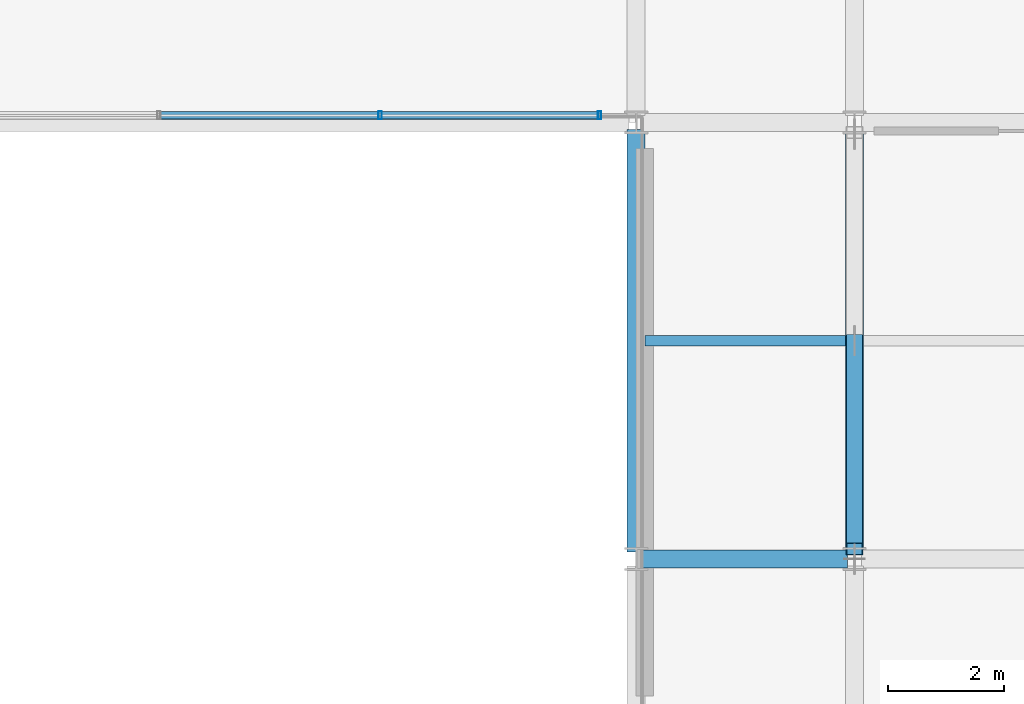
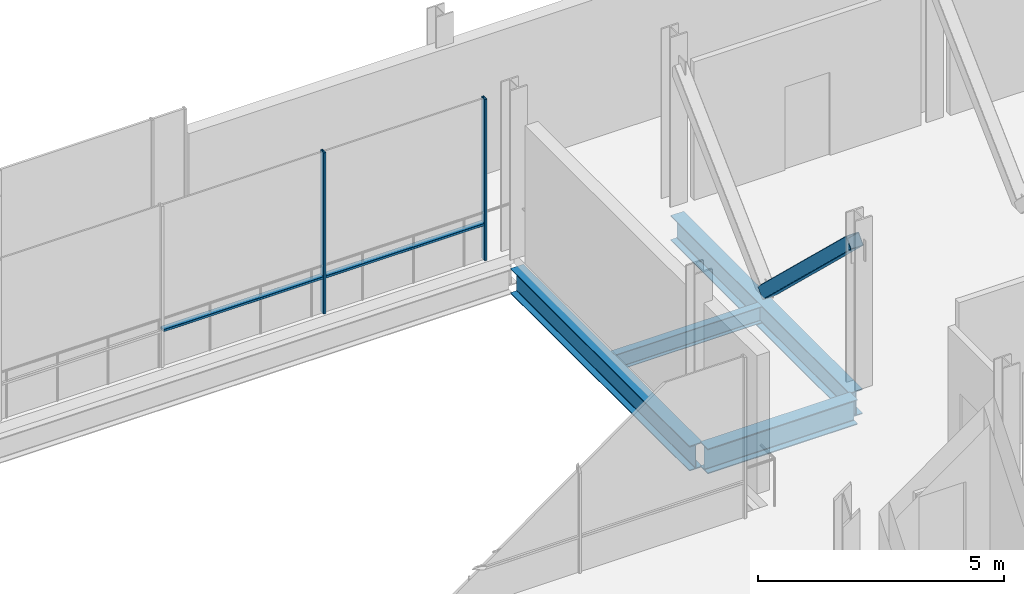
# One storey, part 18 of 33: 5 members, 4 beams, 1 element without a shape of its own.
"""IFC4 building model written with IfcOpenShell, lengths in metres."""

from ifc_helpers import new_model, si_unit, direction, frame, origin, origin_2d, place, context, subcontext, project, spatial, hollow_rectangle, i_section, extrude, material, layer, layer_set, material_profile, profile_set, type_object, element, aggregate, save


model = new_model("IFC4")

# Units and contexts
model_context = context("Model", 3, precision=1e-05, world=origin(), true_north=direction((0.0, 1.0)))
body_context = subcontext(model_context, "Body", "Model", "MODEL_VIEW")
ifc_project = project(units=[si_unit("LENGTHUNIT", "METRE"), si_unit("AREAUNIT", "SQUARE_METRE"), si_unit("VOLUMEUNIT", "CUBIC_METRE"), si_unit("PLANEANGLEUNIT", "RADIAN"), si_unit("MASSUNIT", "GRAM", prefix="KILO")], contexts=[model_context])

# Site, building, storey
site_placement = place(None, origin())
site = spatial("IfcSite", under=ifc_project, at=site_placement, CompositionType="ELEMENT")
building_placement = place(site_placement, origin())
building = spatial("IfcBuilding", under=site, at=building_placement, Name="Brevholm Reach", CompositionType="ELEMENT")
storey_placement = place(building_placement, frame((0.0, 0.0, 179.0)))
storey = spatial("IfcBuildingStorey", under=building, at=storey_placement, Name="L54", CompositionType="ELEMENT", Elevation=179.0)

# Beams
ifc_material_1 = material(Name="Structural Steel S355J2", Category="steel")
ifc_material_profile_1 = material_profile(ifc_material_1, i_section(OverallWidth=0.177978515625, OverallDepth=0.406494140625, WebThickness=0.0078125, FlangeThickness=0.0126953125, FilletRadius=0.01025390625, at=origin_2d()), Name="UKB 406x178x60")
ifc_profile_set_1 = profile_set([ifc_material_profile_1], Name="Structural Steel S355J2")
beam_type_1 = type_object("IfcBeamType", Name="BM-B406", PredefinedType="BEAM", material=ifc_profile_set_1)
beam_1_placement = place(storey_placement, frame((38.403564453125, 19.75, -0.463134765625), z_axis=(1.0, 0.0, 0.0), x_axis=(0.0, 1.0, 0.0)))
element("IfcBeam", 1, at=beam_1_placement, inside=storey, type_object=beam_type_1, Name="L54 Composite Secondary Floor Beam", PredefinedType="BEAM", context=body_context, shape_type="SweptSolid", body=[
    extrude(i_section(OverallWidth=0.177978515625, OverallDepth=0.406494140625, WebThickness=0.0078125, FlangeThickness=0.0126953125, FilletRadius=0.01025390625, at=origin_2d()), origin(), (0.0, 0.0, 1.0), 3.44287109375),
])
ifc_material_2 = material(Name="Structural Steel S355J2", Category="steel")
ifc_material_profile_2 = material_profile(ifc_material_2, i_section(OverallWidth=0.30712890625, OverallDepth=0.6201171875, WebThickness=0.01416015625, FlangeThickness=0.023681640625, FilletRadius=0.0166015625, at=origin_2d()), Name="UKB 610x305x179")
ifc_profile_set_2 = profile_set([ifc_material_profile_2], Name="Structural Steel S355J2")
beam_type_2 = type_object("IfcBeamType", Name="BM-UKB610H", PredefinedType="USERDEFINED", material=ifc_profile_set_2)
beam_2_placement = place(storey_placement, frame((38.3701171875, 16.0, -0.570068359375), z_axis=(1.0, 0.0, 0.0), x_axis=(0.0, 1.0, 0.0)))
element("IfcBeam", 2, at=beam_2_placement, inside=storey, type_object=beam_type_2, Name="L54 G-06 Framing Beam", ObjectType="GIRDER", PredefinedType="USERDEFINED", context=body_context, shape_type="SweptSolid", body=[
    extrude(i_section(OverallWidth=0.30712890625, OverallDepth=0.6201171875, WebThickness=0.01416015625, FlangeThickness=0.023681640625, FilletRadius=0.0166015625, at=origin_2d()), origin(), (0.0, 0.0, 1.0), 3.509765625),
])
for number, where, z_axis, x_axis, name in (
    (3, (38.25, 16.1201171875, -0.570068359375), (0.0, 1.0, 0.0), (-1.0, 0.0, 0.0), "L54 G-06 Framing Beam"),
    (4, (42.0, 16.1201171875, -0.570068359375), (0.0, 1.0, 0.0), (-1.0, 0.0, 0.0), "L54 G-06 Framing Beam"),
):
    element("IfcBeam", number, at=place(storey_placement, frame(where, z_axis=z_axis, x_axis=x_axis)), inside=storey, type_object=beam_type_2, Name=name, ObjectType="GIRDER", PredefinedType="USERDEFINED", context=body_context, shape_type="SweptSolid", body=[
        extrude(i_section(OverallWidth=0.30712890625, OverallDepth=0.6201171875, WebThickness=0.01416015625, FlangeThickness=0.023681640625, FilletRadius=0.0166015625, at=origin_2d()), origin(), (0.0, 0.0, 1.0), 7.259765625),
    ])

# Curtain wall, members
ifc_material_3 = material(Name="Dark Anodised Aluminium 6063-T6 and Solar-Control Glass", Category="aluminium")
ifc_layer = layer(ifc_material_3, 0.139892578125)
ifc_layer_set = layer_set([ifc_layer], Name="Dark Anodised Aluminium 6063-T6 and Solar-Control Glass")
curtain_wall_type = type_object("IfcCurtainWallType", Name="CW-02", PredefinedType="NOTDEFINED", material=ifc_layer_set)
curtain_wall_placement = place(storey_placement, origin())
curtain_wall = element("IfcCurtainWall", 5, at=curtain_wall_placement, inside=storey, type_object=curtain_wall_type, Name="L54 Curtain Wall CW-02", PredefinedType="NOTDEFINED")
ifc_material_4 = material(Name="Dark Anodised Aluminium 6063-T6", Category="aluminium")
ifc_material_profile_3 = material_profile(ifc_material_4, hollow_rectangle(XDim=0.06005859375, YDim=0.139892578125, WallThickness=0.0048828125, InnerFilletRadius=0.0048828125, OuterFilletRadius=0.010009765625, at=origin_2d()), Name="RHS 140x60x5")
ifc_profile_set_3 = profile_set([ifc_material_profile_3], Name="Dark Anodised Aluminium 6063-T6")
member_type_1 = type_object("IfcMemberType", Name="CWM-140", PredefinedType="MULLION", material=ifc_profile_set_3)
member_1_placement = place(storey_placement, frame((37.6201171875, 23.6201171875, 0.0), z_axis=(0.0, 0.0, 1.0), x_axis=(-1.0, 0.0, 0.0)))
member_1 = element("IfcMember", 6, at=member_1_placement, type_object=member_type_1, Name="CM-140 Mullion 1", PredefinedType="MULLION", context=body_context, shape_type="SweptSolid", body=[
    extrude(hollow_rectangle(XDim=0.06005859375, YDim=0.139892578125, WallThickness=0.0048828125, InnerFilletRadius=0.0048828125, OuterFilletRadius=0.010009765625, at=origin_2d()), origin(), (0.0, 0.0, 1.0), 3.989990234375),
])
member_2_placement = place(storey_placement, frame((33.85009765625, 23.6201171875, 0.0), z_axis=(0.0, 0.0, 1.0), x_axis=(-1.0, 0.0, 0.0)))
member_2 = element("IfcMember", 7, at=member_2_placement, type_object=member_type_1, Name="CM-140 Mullion 2", PredefinedType="MULLION", context=body_context, shape_type="SweptSolid", body=[
    extrude(hollow_rectangle(XDim=0.06005859375, YDim=0.139892578125, WallThickness=0.0048828125, InnerFilletRadius=0.0048828125, OuterFilletRadius=0.010009765625, at=origin_2d()), origin(), (0.0, 0.0, 1.0), 3.989990234375),
])
ifc_material_5 = material(Name="Dark Anodised Aluminium 6063-T6", Category="aluminium")
ifc_material_profile_4 = material_profile(ifc_material_5, hollow_rectangle(XDim=0.06005859375, YDim=0.139892578125, WallThickness=0.0048828125, InnerFilletRadius=0.0048828125, OuterFilletRadius=0.010009765625, at=origin_2d()), Name="RHS 140x60x5")
ifc_profile_set_4 = profile_set([ifc_material_profile_4], Name="Dark Anodised Aluminium 6063-T6")
member_type_2 = type_object("IfcMemberType", Name="CWT-140", PredefinedType="NOTDEFINED", material=ifc_profile_set_4)
member_3_placement = place(storey_placement, frame((37.590087890625, 23.6201171875, 0.89990234375), z_axis=(-1.0, 0.0, 0.0), x_axis=(0.0, 0.0, 1.0)))
member_3 = element("IfcMember", 8, at=member_3_placement, type_object=member_type_2, Name="CT-140 Transom 1.1", ObjectType="TRANSOM", PredefinedType="USERDEFINED", context=body_context, shape_type="SweptSolid", body=[
    extrude(hollow_rectangle(XDim=0.06005859375, YDim=0.139892578125, WallThickness=0.0048828125, InnerFilletRadius=0.0048828125, OuterFilletRadius=0.010009765625, at=origin_2d()), origin(), (0.0, 0.0, 1.0), 3.710205078125),
])
member_4_placement = place(storey_placement, frame((33.820068359375, 23.6201171875, 0.89990234375), z_axis=(-1.0, 0.0, 0.0), x_axis=(0.0, 0.0, 1.0)))
member_4 = element("IfcMember", 9, at=member_4_placement, type_object=member_type_2, Name="CT-140 Transom 2.1", ObjectType="TRANSOM", PredefinedType="USERDEFINED", context=body_context, shape_type="SweptSolid", body=[
    extrude(hollow_rectangle(XDim=0.06005859375, YDim=0.139892578125, WallThickness=0.0048828125, InnerFilletRadius=0.0048828125, OuterFilletRadius=0.010009765625, at=origin_2d()), origin(), (0.0, 0.0, 1.0), 3.739990234375),
])
aggregate(curtain_wall, [member_1, member_2, member_3, member_4])

# Member
ifc_material_6 = material(Name="Structural Steel S460NH", Category="steel")
ifc_material_profile_5 = material_profile(ifc_material_6, hollow_rectangle(XDim=0.300048828125, YDim=0.300048828125, WallThickness=0.012451171875, InnerFilletRadius=0.011962890625, OuterFilletRadius=0.02392578125, at=origin_2d()), Name="SHS 300x300x12.5")
ifc_profile_set_5 = profile_set([ifc_material_profile_5], Name="Structural Steel S460NH")
member_type_3 = type_object("IfcMemberType", Name="MEM-OB-SHS300", PredefinedType="BRACE", material=ifc_profile_set_5)
member_5_placement = place(storey_placement, frame((42.0, 16.169921875, 3.435546875), z_axis=(0.0, 0.723539227798, -0.690283264927), x_axis=(-1.0, 0.0, 0.0)))
element("IfcMember", 10, at=member_5_placement, inside=storey, type_object=member_type_3, Name="L54 Outrigger Truss Diagonal X42.1", PredefinedType="BRACE", context=body_context, shape_type="SweptSolid", body=[
    extrude(hollow_rectangle(XDim=0.300048828125, YDim=0.300048828125, WallThickness=0.012451171875, InnerFilletRadius=0.011962890625, OuterFilletRadius=0.02392578125, at=origin_2d()), origin(), (0.0, 0.0, 1.0), 4.947998046875),
])

save(model, "model.ifc")
